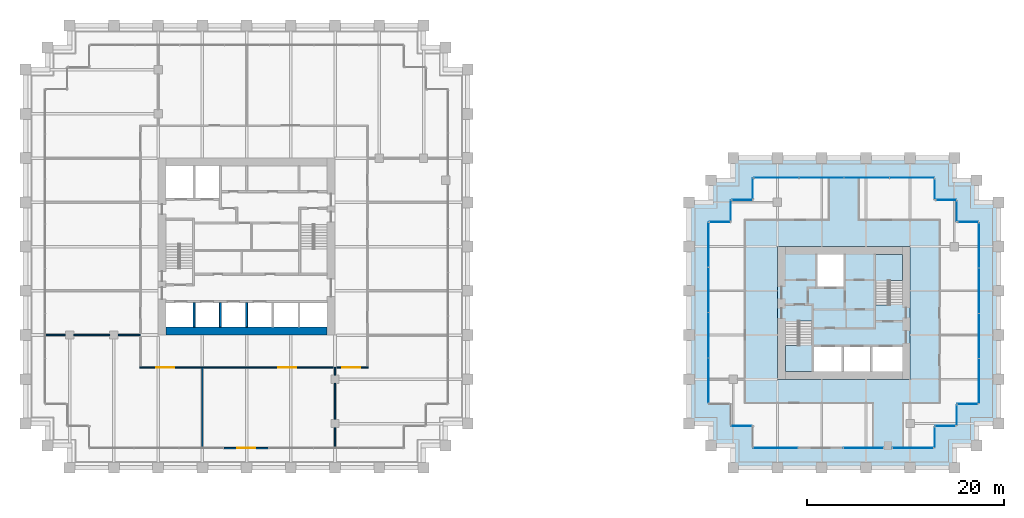
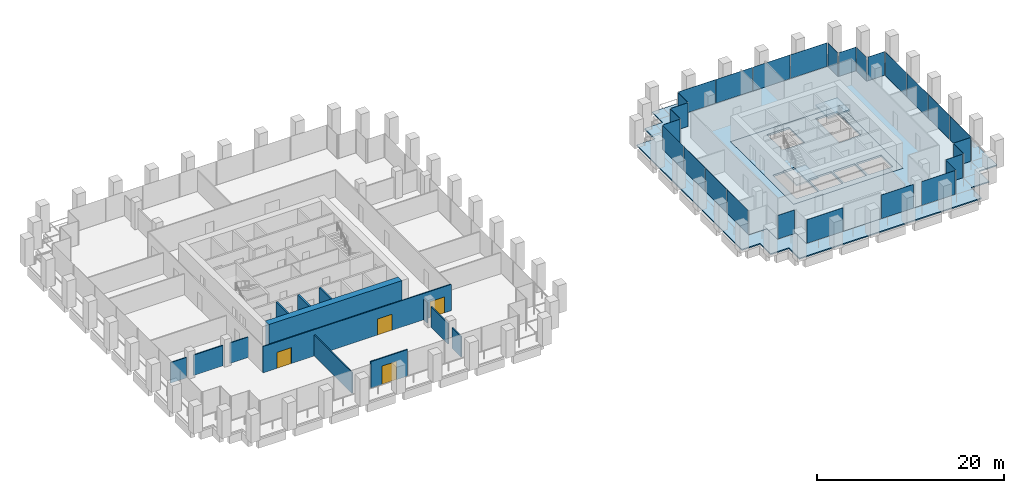
# One storey, part 49 of 56: 28 plates, 13 walls, 5 slabs, 4 doors, 4 openings, 21 elements without a shape of their own.
"""IFC4 building model written with IfcOpenShell, lengths in metres."""

from ifc_helpers import new_model, si_unit, direction, frame, frame_2d, origin, origin_2d, place, context, subcontext, project, spatial, polyline, rectangle, outline, extrude, material, layer, layer_set, type_object, element, fill, aggregate, save


model = new_model("IFC4")

# Units and contexts
model_context = context("Model", 3, precision=1e-05, world=origin(), true_north=direction((0.0, 1.0)))
body_context = subcontext(model_context, "Body", "Model", "MODEL_VIEW")
ifc_project = project(units=[si_unit("LENGTHUNIT", "METRE"), si_unit("AREAUNIT", "SQUARE_METRE"), si_unit("VOLUMEUNIT", "CUBIC_METRE"), si_unit("PLANEANGLEUNIT", "RADIAN"), si_unit("MASSUNIT", "GRAM", prefix="KILO")], contexts=[model_context])

# Site, building, storey
site_placement = place(None, origin())
site = spatial("IfcSite", under=ifc_project, at=site_placement, CompositionType="ELEMENT")
building_placement = place(site_placement, origin())
building = spatial("IfcBuilding", under=site, at=building_placement, Name="Altepetl Exchange Towers", CompositionType="ELEMENT")
storey_placement = place(building_placement, frame((0.0, 0.0, 79.800048828125)))
storey = spatial("IfcBuildingStorey", under=building, at=storey_placement, Name="L19", CompositionType="ELEMENT", Elevation=79.800048828125)

# Slabs
ifc_material_1 = material(Name="Concrete C40/50", Category="concrete")
ifc_layer_1 = layer(ifc_material_1, 0.14990234375)
ifc_layer_set_1 = layer_set([ifc_layer_1], Name="Concrete C40/50")
slab_type_1 = type_object("IfcSlabType", Name="Composite floor slab 150", PredefinedType="FLOOR", material=ifc_layer_set_1)
slab_1_placement = place(storey_placement, frame((0.0, 0.0, -0.150146484375)))
element("IfcSlab", 1, at=slab_1_placement, inside=storey, type_object=slab_type_1, Name="slab:B:L19:strip0", PredefinedType="FLOOR", context=body_context, shape_type="SweptSolid", body=[
    extrude(outline(polyline([(98.75, 54.25), (98.75, 52.0), (96.5, 52.0), (96.5, 33.5), (98.75, 33.5), (98.75, 31.25), (101.0, 31.25), (101.0, 29.0), (119.5, 29.0), (119.5, 31.25), (121.75, 31.25), (121.75, 33.5), (124.0, 33.5), (124.0, 52.0), (121.75, 52.0), (121.75, 54.25), (119.5, 54.25), (119.5, 56.5), (101.0, 56.5), (101.0, 54.25), (98.75, 54.25)]), holes=[polyline([(117.0, 49.5), (117.0, 36.0), (103.5, 36.0), (103.5, 49.5), (117.0, 49.5)])]), origin(), (0.0, 0.0, 1.0), 0.150146484375),
])
ifc_layer_2 = layer(ifc_material_1, 0.25)
ifc_layer_set_2 = layer_set([ifc_layer_2], Name="Concrete C40/50")
slab_type_2 = type_object("IfcSlabType", Name="Core floor slab 250", PredefinedType="FLOOR", material=ifc_layer_set_2)
slab_2_placement = place(storey_placement, frame((0.0, 0.0, -0.25)))
element("IfcSlab", 2, at=slab_2_placement, inside=storey, type_object=slab_type_2, Name="slab:B:L19:core0", PredefinedType="FLOOR", context=body_context, shape_type="SweptSolid", body=[
    extrude(outline(polyline([(103.5, 36.0), (117.0, 36.0), (117.0, 49.5), (103.5, 49.5), (103.5, 36.0)]), holes=[polyline([(107.199951171875, 36.800048828125), (107.199951171875, 39.300048828125), (110.032958984375, 39.300048828125), (110.032958984375, 36.800048828125), (107.199951171875, 36.800048828125)]), polyline([(110.23291015625, 39.300048828125), (112.967041015625, 39.300048828125), (112.967041015625, 36.800048828125), (110.23291015625, 36.800048828125), (110.23291015625, 39.300048828125)]), polyline([(113.1669921875, 39.300048828125), (116.199951171875, 39.300048828125), (116.199951171875, 36.800048828125), (113.1669921875, 36.800048828125), (113.1669921875, 39.300048828125)]), polyline([(107.0, 36.800048828125), (104.300048828125, 36.800048828125), (104.300048828125, 41.85009765625), (105.60009765625, 41.85009765625), (105.60009765625, 41.948974609375), (107.0, 41.948974609375), (107.0, 36.800048828125)]), polyline([(116.199951171875, 48.699951171875), (116.199951171875, 43.64990234375), (114.89990234375, 43.64990234375), (114.89990234375, 43.551025390625), (113.5, 43.551025390625), (113.5, 48.699951171875), (116.199951171875, 48.699951171875)]), polyline([(107.532958984375, 48.699951171875), (110.26708984375, 48.699951171875), (110.26708984375, 45.39990234375), (107.532958984375, 45.39990234375), (107.532958984375, 48.699951171875)])]), origin(), (0.0, 0.0, 1.0), 0.25),
])

# Curtain wall, plate
ifc_material_2 = material(Name="Aluminium 6063-T6 glazing", Category="aluminium")
curtain_wall_type = type_object("IfcCurtainWallType", Name="Loggia glazing system", PredefinedType="NOTDEFINED", material=ifc_material_2)
curtain_wall_1_placement = place(storey_placement, origin())
curtain_wall_1 = element("IfcCurtainWall", 3, at=curtain_wall_1_placement, inside=storey, type_object=curtain_wall_type, Name="CW1 run", PredefinedType="NOTDEFINED")
ifc_material_3 = material(Name="Glass 6-16-6 low emissivity", Category="glass")
ifc_layer_3 = layer(ifc_material_3, 0.028076171875)
ifc_layer_set_3 = layer_set([ifc_layer_3], Name="Glass 6-16-6 low emissivity")
plate_type = type_object("IfcPlateType", Name="Glass panel 28 double glazed", PredefinedType="CURTAIN_PANEL", material=ifc_layer_set_3)
plate_1_placement = place(storey_placement, frame((97.66259765625, 52.0, 0.0), z_axis=(0.0, 0.0, 1.0), x_axis=(-1.0, 0.0, 0.0)))
plate_1 = element("IfcPlate", 4, at=plate_1_placement, type_object=plate_type, Name="GP1 panel", PredefinedType="CURTAIN_PANEL", context=body_context, shape_type="SweptSolid", body=[
    extrude(rectangle(XDim=2.054931640625, YDim=0.028076171875, at=origin_2d()), origin(), (0.0, 0.0, 1.0), 3.10009765625),
])
aggregate(curtain_wall_1, [plate_1])

# Curtain wall, plates
curtain_wall_2_placement = place(storey_placement, origin())
curtain_wall_2 = element("IfcCurtainWall", 5, at=curtain_wall_2_placement, inside=storey, type_object=curtain_wall_type, Name="CW1 run", PredefinedType="NOTDEFINED")
plate_2_placement = place(storey_placement, frame((96.5, 49.681884765625, 0.0), z_axis=(0.0, 0.0, 1.0), x_axis=(0.0, -1.0, 0.0)))
plate_2 = element("IfcPlate", 6, at=plate_2_placement, type_object=plate_type, Name="GP1 panel", PredefinedType="CURTAIN_PANEL", context=body_context, shape_type="SweptSolid", body=[
    extrude(rectangle(XDim=4.516357421875, YDim=0.028076171875, at=origin_2d()), origin(), (0.0, 0.0, 1.0), 3.10009765625),
])
plate_3_placement = place(storey_placement, frame((96.5, 45.090576171875, 0.0), z_axis=(0.0, 0.0, 1.0), x_axis=(0.0, -1.0, 0.0)))
plate_3 = element("IfcPlate", 7, at=plate_3_placement, type_object=plate_type, Name="GP1 panel", PredefinedType="CURTAIN_PANEL", context=body_context, shape_type="SweptSolid", body=[
    extrude(rectangle(XDim=4.546142578125, YDim=0.028076171875, at=origin_2d()), origin(), (0.0, 0.0, 1.0), 3.10009765625),
])
plate_4_placement = place(storey_placement, frame((96.5, 40.484375, 0.0), z_axis=(0.0, 0.0, 1.0), x_axis=(0.0, -1.0, 0.0)))
plate_4 = element("IfcPlate", 8, at=plate_4_placement, type_object=plate_type, Name="GP1 panel", PredefinedType="CURTAIN_PANEL", context=body_context, shape_type="SweptSolid", body=[
    extrude(rectangle(XDim=4.546142578125, YDim=0.028076171875, at=origin_2d()), origin(), (0.0, 0.0, 1.0), 3.10009765625),
])
plate_5_placement = place(storey_placement, frame((96.5, 35.89306640625, 0.0), z_axis=(0.0, 0.0, 1.0), x_axis=(0.0, -1.0, 0.0)))
plate_5 = element("IfcPlate", 9, at=plate_5_placement, type_object=plate_type, Name="GP1 panel", PredefinedType="CURTAIN_PANEL", context=body_context, shape_type="SweptSolid", body=[
    extrude(rectangle(XDim=4.516357421875, YDim=0.028076171875, at=origin_2d()), origin(), (0.0, 0.0, 1.0), 3.10009765625),
])
aggregate(curtain_wall_2, [plate_2, plate_3, plate_4, plate_5])

# Curtain wall, plate
curtain_wall_3_placement = place(storey_placement, origin())
curtain_wall_3 = element("IfcCurtainWall", 10, at=curtain_wall_3_placement, inside=storey, type_object=curtain_wall_type, Name="CW1 run", PredefinedType="NOTDEFINED")
plate_6_placement = place(storey_placement, frame((99.83740234375, 31.25, 0.0)))
plate_6 = element("IfcPlate", 11, at=plate_6_placement, type_object=plate_type, Name="GP1 panel", PredefinedType="CURTAIN_PANEL", context=body_context, shape_type="SweptSolid", body=[
    extrude(rectangle(XDim=2.054931640625, YDim=0.028076171875, at=origin_2d()), origin(), (0.0, 0.0, 1.0), 3.10009765625),
])
aggregate(curtain_wall_3, [plate_6])

curtain_wall_4_placement = place(storey_placement, origin())
curtain_wall_4 = element("IfcCurtainWall", 12, at=curtain_wall_4_placement, inside=storey, type_object=curtain_wall_type, Name="CW1 run", PredefinedType="NOTDEFINED")
plate_7_placement = place(storey_placement, frame((103.30322265625, 29.0, 0.0)))
plate_7 = element("IfcPlate", 13, at=plate_7_placement, type_object=plate_type, Name="GP1 panel", PredefinedType="CURTAIN_PANEL", context=body_context, shape_type="SweptSolid", body=[
    extrude(rectangle(XDim=4.486328125, YDim=0.028076171875, at=origin_2d()), origin(), (0.0, 0.0, 1.0), 3.10009765625),
])
aggregate(curtain_wall_4, [plate_7])

curtain_wall_5_placement = place(storey_placement, origin())
curtain_wall_5 = element("IfcCurtainWall", 14, at=curtain_wall_5_placement, inside=storey, type_object=curtain_wall_type, Name="CW1 run", PredefinedType="NOTDEFINED")
plate_8_placement = place(storey_placement, frame((112.2587890625, 29.0, 0.0)))
plate_8 = element("IfcPlate", 15, at=plate_8_placement, type_object=plate_type, Name="GP1 panel", PredefinedType="CURTAIN_PANEL", context=body_context, shape_type="SweptSolid", body=[
    extrude(rectangle(XDim=3.972412109375, YDim=0.028076171875, at=origin_2d()), origin(), (0.0, 0.0, 1.0), 3.10009765625),
])
aggregate(curtain_wall_5, [plate_8])

curtain_wall_6_placement = place(storey_placement, origin())
curtain_wall_6 = element("IfcCurtainWall", 16, at=curtain_wall_6_placement, inside=storey, type_object=curtain_wall_type, Name="CW1 run", PredefinedType="NOTDEFINED")
plate_9_placement = place(storey_placement, frame((117.31005859375, 29.0, 0.0)))
plate_9 = element("IfcPlate", 17, at=plate_9_placement, type_object=plate_type, Name="GP1 panel", PredefinedType="CURTAIN_PANEL", context=body_context, shape_type="SweptSolid", body=[
    extrude(rectangle(XDim=4.110107421875, YDim=0.028076171875, at=origin_2d()), origin(), (0.0, 0.0, 1.0), 3.10009765625),
])
aggregate(curtain_wall_6, [plate_9])

curtain_wall_7_placement = place(storey_placement, origin())
curtain_wall_7 = element("IfcCurtainWall", 18, at=curtain_wall_7_placement, inside=storey, type_object=curtain_wall_type, Name="CW1 run", PredefinedType="NOTDEFINED")
plate_10_placement = place(storey_placement, frame((119.5, 30.08740234375, 0.0), z_axis=(0.0, 0.0, 1.0), x_axis=(0.0, 1.0, 0.0)))
plate_10 = element("IfcPlate", 19, at=plate_10_placement, type_object=plate_type, Name="GP1 panel", PredefinedType="CURTAIN_PANEL", context=body_context, shape_type="SweptSolid", body=[
    extrude(rectangle(XDim=2.054931640625, YDim=0.028076171875, at=origin_2d()), origin(), (0.0, 0.0, 1.0), 3.10009765625),
])
aggregate(curtain_wall_7, [plate_10])

curtain_wall_8_placement = place(storey_placement, origin())
curtain_wall_8 = element("IfcCurtainWall", 20, at=curtain_wall_8_placement, inside=storey, type_object=curtain_wall_type, Name="CW1 run", PredefinedType="NOTDEFINED")
plate_11_placement = place(storey_placement, frame((120.58740234375, 31.25, 0.0)))
plate_11 = element("IfcPlate", 21, at=plate_11_placement, type_object=plate_type, Name="GP1 panel", PredefinedType="CURTAIN_PANEL", context=body_context, shape_type="SweptSolid", body=[
    extrude(rectangle(XDim=2.054931640625, YDim=0.028076171875, at=origin_2d()), origin(), (0.0, 0.0, 1.0), 3.10009765625),
])
aggregate(curtain_wall_8, [plate_11])

curtain_wall_9_placement = place(storey_placement, origin())
curtain_wall_9 = element("IfcCurtainWall", 22, at=curtain_wall_9_placement, inside=storey, type_object=curtain_wall_type, Name="CW1 run", PredefinedType="NOTDEFINED")
plate_12_placement = place(storey_placement, frame((121.75, 32.33740234375, 0.0), z_axis=(0.0, 0.0, 1.0), x_axis=(0.0, 1.0, 0.0)))
plate_12 = element("IfcPlate", 23, at=plate_12_placement, type_object=plate_type, Name="GP1 panel", PredefinedType="CURTAIN_PANEL", context=body_context, shape_type="SweptSolid", body=[
    extrude(rectangle(XDim=2.054931640625, YDim=0.028076171875, at=origin_2d()), origin(), (0.0, 0.0, 1.0), 3.10009765625),
])
aggregate(curtain_wall_9, [plate_12])

curtain_wall_10_placement = place(storey_placement, origin())
curtain_wall_10 = element("IfcCurtainWall", 24, at=curtain_wall_10_placement, inside=storey, type_object=curtain_wall_type, Name="CW1 run", PredefinedType="NOTDEFINED")
plate_13_placement = place(storey_placement, frame((122.83740234375, 33.5, 0.0)))
plate_13 = element("IfcPlate", 25, at=plate_13_placement, type_object=plate_type, Name="GP1 panel", PredefinedType="CURTAIN_PANEL", context=body_context, shape_type="SweptSolid", body=[
    extrude(rectangle(XDim=2.054931640625, YDim=0.028076171875, at=origin_2d()), origin(), (0.0, 0.0, 1.0), 3.10009765625),
])
aggregate(curtain_wall_10, [plate_13])

# Curtain wall, plates
curtain_wall_11_placement = place(storey_placement, origin())
curtain_wall_11 = element("IfcCurtainWall", 26, at=curtain_wall_11_placement, inside=storey, type_object=curtain_wall_type, Name="CW1 run", PredefinedType="NOTDEFINED")
plate_14_placement = place(storey_placement, frame((124.0, 35.818115234375, 0.0), z_axis=(0.0, 0.0, 1.0), x_axis=(0.0, 1.0, 0.0)))
plate_14 = element("IfcPlate", 27, at=plate_14_placement, type_object=plate_type, Name="GP1 panel", PredefinedType="CURTAIN_PANEL", context=body_context, shape_type="SweptSolid", body=[
    extrude(rectangle(XDim=4.516357421875, YDim=0.028076171875, at=origin_2d()), origin(), (0.0, 0.0, 1.0), 3.10009765625),
])
plate_15_placement = place(storey_placement, frame((124.0, 40.409423828125, 0.0), z_axis=(0.0, 0.0, 1.0), x_axis=(0.0, 1.0, 0.0)))
plate_15 = element("IfcPlate", 28, at=plate_15_placement, type_object=plate_type, Name="GP1 panel", PredefinedType="CURTAIN_PANEL", context=body_context, shape_type="SweptSolid", body=[
    extrude(rectangle(XDim=4.546142578125, YDim=0.028076171875, at=origin_2d()), origin(), (0.0, 0.0, 1.0), 3.10009765625),
])
plate_16_placement = place(storey_placement, frame((124.0, 45.015625, 0.0), z_axis=(0.0, 0.0, 1.0), x_axis=(0.0, 1.0, 0.0)))
plate_16 = element("IfcPlate", 29, at=plate_16_placement, type_object=plate_type, Name="GP1 panel", PredefinedType="CURTAIN_PANEL", context=body_context, shape_type="SweptSolid", body=[
    extrude(rectangle(XDim=4.546142578125, YDim=0.028076171875, at=origin_2d()), origin(), (0.0, 0.0, 1.0), 3.10009765625),
])
plate_17_placement = place(storey_placement, frame((124.0, 49.60693359375, 0.0), z_axis=(0.0, 0.0, 1.0), x_axis=(0.0, 1.0, 0.0)))
plate_17 = element("IfcPlate", 30, at=plate_17_placement, type_object=plate_type, Name="GP1 panel", PredefinedType="CURTAIN_PANEL", context=body_context, shape_type="SweptSolid", body=[
    extrude(rectangle(XDim=4.516357421875, YDim=0.028076171875, at=origin_2d()), origin(), (0.0, 0.0, 1.0), 3.10009765625),
])
aggregate(curtain_wall_11, [plate_14, plate_15, plate_16, plate_17])

# Curtain wall, plate
curtain_wall_12_placement = place(storey_placement, origin())
curtain_wall_12 = element("IfcCurtainWall", 31, at=curtain_wall_12_placement, inside=storey, type_object=curtain_wall_type, Name="CW1 run", PredefinedType="NOTDEFINED")
plate_18_placement = place(storey_placement, frame((122.91259765625, 52.0, 0.0), z_axis=(0.0, 0.0, 1.0), x_axis=(-1.0, 0.0, 0.0)))
plate_18 = element("IfcPlate", 32, at=plate_18_placement, type_object=plate_type, Name="GP1 panel", PredefinedType="CURTAIN_PANEL", context=body_context, shape_type="SweptSolid", body=[
    extrude(rectangle(XDim=2.054931640625, YDim=0.028076171875, at=origin_2d()), origin(), (0.0, 0.0, 1.0), 3.10009765625),
])
aggregate(curtain_wall_12, [plate_18])

curtain_wall_13_placement = place(storey_placement, origin())
curtain_wall_13 = element("IfcCurtainWall", 33, at=curtain_wall_13_placement, inside=storey, type_object=curtain_wall_type, Name="CW1 run", PredefinedType="NOTDEFINED")
plate_19_placement = place(storey_placement, frame((121.75, 53.08740234375, 0.0), z_axis=(0.0, 0.0, 1.0), x_axis=(0.0, 1.0, 0.0)))
plate_19 = element("IfcPlate", 34, at=plate_19_placement, type_object=plate_type, Name="GP1 panel", PredefinedType="CURTAIN_PANEL", context=body_context, shape_type="SweptSolid", body=[
    extrude(rectangle(XDim=2.054931640625, YDim=0.028076171875, at=origin_2d()), origin(), (0.0, 0.0, 1.0), 3.10009765625),
])
aggregate(curtain_wall_13, [plate_19])

curtain_wall_14_placement = place(storey_placement, origin())
curtain_wall_14 = element("IfcCurtainWall", 35, at=curtain_wall_14_placement, inside=storey, type_object=curtain_wall_type, Name="CW1 run", PredefinedType="NOTDEFINED")
plate_20_placement = place(storey_placement, frame((120.66259765625, 54.25, 0.0), z_axis=(0.0, 0.0, 1.0), x_axis=(-1.0, 0.0, 0.0)))
plate_20 = element("IfcPlate", 36, at=plate_20_placement, type_object=plate_type, Name="GP1 panel", PredefinedType="CURTAIN_PANEL", context=body_context, shape_type="SweptSolid", body=[
    extrude(rectangle(XDim=2.054931640625, YDim=0.028076171875, at=origin_2d()), origin(), (0.0, 0.0, 1.0), 3.10009765625),
])
aggregate(curtain_wall_14, [plate_20])

curtain_wall_15_placement = place(storey_placement, origin())
curtain_wall_15 = element("IfcCurtainWall", 37, at=curtain_wall_15_placement, inside=storey, type_object=curtain_wall_type, Name="CW1 run", PredefinedType="NOTDEFINED")
plate_21_placement = place(storey_placement, frame((119.5, 55.33740234375, 0.0), z_axis=(0.0, 0.0, 1.0), x_axis=(0.0, 1.0, 0.0)))
plate_21 = element("IfcPlate", 38, at=plate_21_placement, type_object=plate_type, Name="GP1 panel", PredefinedType="CURTAIN_PANEL", context=body_context, shape_type="SweptSolid", body=[
    extrude(rectangle(XDim=2.054931640625, YDim=0.028076171875, at=origin_2d()), origin(), (0.0, 0.0, 1.0), 3.10009765625),
])
aggregate(curtain_wall_15, [plate_21])

# Curtain wall, plates
curtain_wall_16_placement = place(storey_placement, origin())
curtain_wall_16 = element("IfcCurtainWall", 39, at=curtain_wall_16_placement, inside=storey, type_object=curtain_wall_type, Name="CW1 run", PredefinedType="NOTDEFINED")
plate_22_placement = place(storey_placement, frame((117.181884765625, 56.5, 0.0), z_axis=(0.0, 0.0, 1.0), x_axis=(-1.0, 0.0, 0.0)))
plate_22 = element("IfcPlate", 40, at=plate_22_placement, type_object=plate_type, Name="GP1 panel", PredefinedType="CURTAIN_PANEL", context=body_context, shape_type="SweptSolid", body=[
    extrude(rectangle(XDim=4.516357421875, YDim=0.028076171875, at=origin_2d()), origin(), (0.0, 0.0, 1.0), 3.10009765625),
])
plate_23_placement = place(storey_placement, frame((112.590576171875, 56.5, 0.0), z_axis=(0.0, 0.0, 1.0), x_axis=(-1.0, 0.0, 0.0)))
plate_23 = element("IfcPlate", 41, at=plate_23_placement, type_object=plate_type, Name="GP1 panel", PredefinedType="CURTAIN_PANEL", context=body_context, shape_type="SweptSolid", body=[
    extrude(rectangle(XDim=4.546142578125, YDim=0.028076171875, at=origin_2d()), origin(), (0.0, 0.0, 1.0), 3.10009765625),
])
plate_24_placement = place(storey_placement, frame((107.984375, 56.5, 0.0), z_axis=(0.0, 0.0, 1.0), x_axis=(-1.0, 0.0, 0.0)))
plate_24 = element("IfcPlate", 42, at=plate_24_placement, type_object=plate_type, Name="GP1 panel", PredefinedType="CURTAIN_PANEL", context=body_context, shape_type="SweptSolid", body=[
    extrude(rectangle(XDim=4.546142578125, YDim=0.028076171875, at=origin_2d()), origin(), (0.0, 0.0, 1.0), 3.10009765625),
])
plate_25_placement = place(storey_placement, frame((103.39306640625, 56.5, 0.0), z_axis=(0.0, 0.0, 1.0), x_axis=(-1.0, 0.0, 0.0)))
plate_25 = element("IfcPlate", 43, at=plate_25_placement, type_object=plate_type, Name="GP1 panel", PredefinedType="CURTAIN_PANEL", context=body_context, shape_type="SweptSolid", body=[
    extrude(rectangle(XDim=4.516357421875, YDim=0.028076171875, at=origin_2d()), origin(), (0.0, 0.0, 1.0), 3.10009765625),
])
aggregate(curtain_wall_16, [plate_22, plate_23, plate_24, plate_25])

# Curtain wall, plate
curtain_wall_17_placement = place(storey_placement, origin())
curtain_wall_17 = element("IfcCurtainWall", 44, at=curtain_wall_17_placement, inside=storey, type_object=curtain_wall_type, Name="CW1 run", PredefinedType="NOTDEFINED")
plate_26_placement = place(storey_placement, frame((101.0, 55.41259765625, 0.0), z_axis=(0.0, 0.0, 1.0), x_axis=(0.0, -1.0, 0.0)))
plate_26 = element("IfcPlate", 45, at=plate_26_placement, type_object=plate_type, Name="GP1 panel", PredefinedType="CURTAIN_PANEL", context=body_context, shape_type="SweptSolid", body=[
    extrude(rectangle(XDim=2.054931640625, YDim=0.028076171875, at=origin_2d()), origin(), (0.0, 0.0, 1.0), 3.10009765625),
])
aggregate(curtain_wall_17, [plate_26])

curtain_wall_18_placement = place(storey_placement, origin())
curtain_wall_18 = element("IfcCurtainWall", 46, at=curtain_wall_18_placement, inside=storey, type_object=curtain_wall_type, Name="CW1 run", PredefinedType="NOTDEFINED")
plate_27_placement = place(storey_placement, frame((99.91259765625, 54.25, 0.0), z_axis=(0.0, 0.0, 1.0), x_axis=(-1.0, 0.0, 0.0)))
plate_27 = element("IfcPlate", 47, at=plate_27_placement, type_object=plate_type, Name="GP1 panel", PredefinedType="CURTAIN_PANEL", context=body_context, shape_type="SweptSolid", body=[
    extrude(rectangle(XDim=2.054931640625, YDim=0.028076171875, at=origin_2d()), origin(), (0.0, 0.0, 1.0), 3.10009765625),
])
aggregate(curtain_wall_18, [plate_27])

curtain_wall_19_placement = place(storey_placement, origin())
curtain_wall_19 = element("IfcCurtainWall", 48, at=curtain_wall_19_placement, inside=storey, type_object=curtain_wall_type, Name="CW1 run", PredefinedType="NOTDEFINED")
plate_28_placement = place(storey_placement, frame((98.75, 53.16259765625, 0.0), z_axis=(0.0, 0.0, 1.0), x_axis=(0.0, -1.0, 0.0)))
plate_28 = element("IfcPlate", 49, at=plate_28_placement, type_object=plate_type, Name="GP1 panel", PredefinedType="CURTAIN_PANEL", context=body_context, shape_type="SweptSolid", body=[
    extrude(rectangle(XDim=2.054931640625, YDim=0.028076171875, at=origin_2d()), origin(), (0.0, 0.0, 1.0), 3.10009765625),
])
aggregate(curtain_wall_19, [plate_28])

# Slab
ifc_layer_4 = layer(ifc_material_1, 0.14990234375)
ifc_layer_set_4 = layer_set([ifc_layer_4], Name="Concrete C40/50")
slab_type_3 = type_object("IfcSlabType", Name="Loggia slab 150", PredefinedType="FLOOR", material=ifc_layer_set_4)
slab_3_placement = place(storey_placement, frame((0.0, 0.0, -0.150146484375)))
element("IfcSlab", 50, at=slab_3_placement, inside=storey, type_object=slab_type_3, Name="slab:B:L19:loggia0", PredefinedType="FLOOR", context=body_context, shape_type="SweptSolid", body=[
    extrude(outline(polyline([(96.75, 54.0), (94.5, 54.0), (94.5, 36.0), (94.5, 31.5), (96.75, 31.5), (96.75, 29.25), (99.0, 29.25), (99.0, 27.0), (117.0, 27.0), (121.5, 27.0), (121.5, 29.25), (123.75, 29.25), (123.75, 31.5), (126.0, 31.5), (126.0, 49.5), (126.0, 54.0), (123.75, 54.0), (123.75, 56.25), (121.5, 56.25), (121.5, 58.5), (103.5, 58.5), (99.0, 58.5), (99.0, 56.25), (96.75, 56.25), (96.75, 54.0)]), holes=[polyline([(96.5, 52.0), (98.75, 52.0), (98.75, 54.25), (101.0, 54.25), (101.0, 56.5), (119.5, 56.5), (119.5, 54.25), (121.75, 54.25), (121.75, 52.0), (124.0, 52.0), (124.0, 33.5), (121.75, 33.5), (121.75, 31.25), (119.5, 31.25), (119.5, 29.0), (101.0, 29.0), (101.0, 31.25), (98.75, 31.25), (98.75, 33.5), (96.5, 33.5), (96.5, 52.0)])]), origin(), (0.0, 0.0, 1.0), 0.150146484375),
])

# Stair, slab
stair_type = type_object("IfcStairType", Name="Exit stair 1300 flights dogleg", PredefinedType="HALF_TURN_STAIR", material=ifc_material_1)
stair_1_placement = place(storey_placement, origin())
stair_1 = element("IfcStair", 51, at=stair_1_placement, inside=storey, type_object=stair_type, Name="Exit stair 1", PredefinedType="HALF_TURN_STAIR")
ifc_layer_5 = layer(ifc_material_1, 0.199951171875)
ifc_layer_set_5 = layer_set([ifc_layer_5], Name="Concrete C40/50")
slab_type_4 = type_object("IfcSlabType", Name="Stair landing 200 reinforced concrete", PredefinedType="LANDING", material=ifc_layer_set_5)
slab_4_placement = place(storey_placement, frame((0.0, 0.0, 1.599853515625)))
slab_4 = element("IfcSlab", 52, at=slab_4_placement, type_object=slab_type_4, Name="ST-B1c landing 1", PredefinedType="LANDING", context=body_context, shape_type="SweptSolid", body=[
    extrude(outline(polyline([(107.0, 36.800048828125), (104.300048828125, 36.800048828125), (104.300048828125, 39.429931640625), (104.300048828125, 39.4306640625), (105.60009765625, 39.4306640625), (105.60009765625, 39.429931640625), (105.699951171875, 39.429931640625), (105.699951171875, 39.530029296875), (107.0, 39.530029296875), (107.0, 39.429931640625), (107.0, 36.800048828125)])), origin(), (0.0, 0.0, 1.0), 0.2001953125),
])
aggregate(stair_1, [slab_4])

stair_2_placement = place(storey_placement, origin())
stair_2 = element("IfcStair", 53, at=stair_2_placement, inside=storey, type_object=stair_type, Name="Exit stair 2", PredefinedType="HALF_TURN_STAIR")
slab_5_placement = place(storey_placement, frame((0.0, 0.0, 1.599853515625)))
slab_5 = element("IfcSlab", 54, at=slab_5_placement, type_object=slab_type_4, Name="ST-B2c landing 1", PredefinedType="LANDING", context=body_context, shape_type="SweptSolid", body=[
    extrude(outline(polyline([(114.800048828125, 45.969970703125), (113.5, 45.969970703125), (113.5, 46.070068359375), (113.5, 48.699951171875), (116.199951171875, 48.699951171875), (116.199951171875, 46.070068359375), (116.199951171875, 46.0693359375), (114.89990234375, 46.0693359375), (114.89990234375, 46.070068359375), (114.800048828125, 46.070068359375), (114.800048828125, 45.969970703125)])), origin(), (0.0, 0.0, 1.0), 0.2001953125),
])
aggregate(stair_2, [slab_5])

# Wall
ifc_material_4 = material(Name="Concrete C70/85", Category="concrete")
ifc_layer_6 = layer(ifc_material_4, 0.800048828125)
ifc_layer_set_6 = layer_set([ifc_layer_6], Name="Concrete C70/85")
wall_type_1 = type_object("IfcWallType", Name="Core wall 800 reinforced concrete", PredefinedType="SHEAR", material=ifc_layer_set_6)
wall_1_placement = place(storey_placement, frame((41.300048828125, 40.89990234375, 0.0)))
element("IfcWall", 55, at=wall_1_placement, inside=storey, type_object=wall_type_1, Name="wall:A:L19:K-coreS", PredefinedType="SHEAR", context=body_context, shape_type="SweptSolid", body=[
    extrude(rectangle(XDim=16.39990234375, YDim=0.800048828125, at=frame_2d((8.199951171875, 0.0))), origin(), (0.0, 0.0, 1.0), 3.349853515625),
])

# Wall, opening, door
ifc_material_5 = material(Name="Aluminium composite cladding", Category="aluminium")
ifc_layer_7 = layer(ifc_material_5, 0.14990234375)
ifc_layer_set_7 = layer_set([ifc_layer_7], Name="Aluminium composite cladding")
wall_type_2 = type_object("IfcWallType", Name="Infill wall 150 aluminium panel", PredefinedType="SOLIDWALL", material=ifc_layer_set_7)
wall_2_placement = place(storey_placement, frame((47.18212890625, 29.0, 0.0)))
wall_2 = element("IfcWall", 56, at=wall_2_placement, inside=storey, type_object=wall_type_2, Name="Loggia door bay wall", PredefinedType="SOLIDWALL", context=body_context, shape_type="SweptSolid", body=[
    extrude(rectangle(XDim=4.560791015625, YDim=0.14990234375, at=frame_2d((2.2802734375, 0.0))), origin(), (0.0, 0.0, 1.0), 3.449951171875),
])
opening_1_placement = place(wall_2_placement, frame((1.38037109375, 0.0, 0.0)))
opening_1 = element("IfcOpeningElement", 57, at=opening_1_placement, cuts=wall_2, Name="Opening L19.A90", PredefinedType="OPENING", context=body_context, shape_type="SweptSolid", body=[
    extrude(rectangle(XDim=1.800048828125, YDim=2.39990234375, at=frame_2d((0.89990234375, 1.199951171875))), frame((0.0, 0.0849609375, 0.0), z_axis=(0.0, -1.0, 0.0), x_axis=(1.0, 0.0, 0.0)), (0.0, 0.0, 1.0), 0.169921875),
])
ifc_material_6 = material(Name="Aluminium 6063-T6 and glass", Category="aluminium")
door_type_1 = type_object("IfcDoorType", Name="Glazed door pair 1800x2400", OperationType="DOUBLE_DOOR_DOUBLE_SWING", PredefinedType="NOTDEFINED", material=ifc_material_6)
door_1_placement = place(opening_1_placement, frame((1.800048828125, 0.0, 0.0), x_axis=(-1.0, 0.0, 0.0)))
door_1 = element("IfcDoor", 58, at=door_1_placement, inside=storey, type_object=door_type_1, Name="Loggia door", OperationType="DOUBLE_DOOR_DOUBLE_SWING", OverallHeight=2.39990234375, OverallWidth=1.800048828125, PredefinedType="NOTDEFINED", context=body_context, shape_type="SweptSolid", body=[
    extrude(rectangle(XDim=1.800048828125, YDim=2.39990234375, at=frame_2d((0.89990234375, 1.199951171875))), frame((0.0, 0.02490234375, 0.0), z_axis=(0.0, -1.0, 0.0), x_axis=(1.0, 0.0, 0.0)), (0.0, 0.0, 1.0), 0.050048828125),
])
fill(opening_1, door_1)

# Wall, openings, doors
ifc_material_7 = material(Name="Gypsum board on steel studs", Category="steel")
ifc_layer_8 = layer(ifc_material_7, 0.125)
ifc_layer_set_8 = layer_set([ifc_layer_8], Name="Gypsum board on steel studs")
wall_type_3 = type_object("IfcWallType", Name="Partition 125 gypsum board on steel studs", PredefinedType="PARTITIONING", material=ifc_layer_set_8)
wall_3_placement = place(storey_placement, frame((38.637451171875, 37.199951171875, 0.0)))
wall_3 = element("IfcWall", 59, at=wall_3_placement, inside=storey, type_object=wall_type_3, Name="wall:A:L19:P01", PredefinedType="PARTITIONING", context=body_context, shape_type="SweptSolid", body=[
    extrude(rectangle(XDim=23.22509765625, YDim=0.125, at=frame_2d((11.612548828125, 0.0))), origin(), (0.0, 0.0, 1.0), 3.449951171875),
])
opening_2_placement = place(wall_3_placement, frame((1.6826171875, 0.0, 0.0)))
opening_2 = element("IfcOpeningElement", 60, at=opening_2_placement, cuts=wall_3, Name="Opening L19.A02", PredefinedType="OPENING", context=body_context, shape_type="SweptSolid", body=[
    extrude(rectangle(XDim=1.800048828125, YDim=2.10009765625, at=frame_2d((0.89990234375, 1.050048828125))), frame((0.0, 0.072509765625, 0.0), z_axis=(0.0, -1.0, 0.0), x_axis=(1.0, 0.0, 0.0)), (0.0, 0.0, 1.0), 0.14501953125),
])
opening_3_placement = place(wall_3_placement, frame((14.1025390625, 0.0, 0.0)))
opening_3 = element("IfcOpeningElement", 61, at=opening_3_placement, cuts=wall_3, Name="Opening L19.A03", PredefinedType="OPENING", context=body_context, shape_type="SweptSolid", body=[
    extrude(rectangle(XDim=1.800048828125, YDim=2.10009765625, at=frame_2d((0.89990234375, 1.050048828125))), frame((0.0, 0.072509765625, 0.0), z_axis=(0.0, -1.0, 0.0), x_axis=(1.0, 0.0, 0.0)), (0.0, 0.0, 1.0), 0.14501953125),
])
opening_4_placement = place(wall_3_placement, frame((20.612548828125, 0.0, 0.0)))
opening_4 = element("IfcOpeningElement", 62, at=opening_4_placement, cuts=wall_3, Name="Opening L19.A04", PredefinedType="OPENING", context=body_context, shape_type="SweptSolid", body=[
    extrude(rectangle(XDim=1.800048828125, YDim=2.10009765625, at=frame_2d((0.89990234375, 1.050048828125))), frame((0.0, 0.072509765625, 0.0), z_axis=(0.0, -1.0, 0.0), x_axis=(1.0, 0.0, 0.0)), (0.0, 0.0, 1.0), 0.14501953125),
])
ifc_material_8 = material(Name="Steel and timber fire door", Category="steel")
door_type_2 = type_object("IfcDoorType", Name="Fire door 1800 x 2100 double leaf", OperationType="DOUBLE_DOOR_SINGLE_SWING", PredefinedType="DOOR", material=ifc_material_8)
door_2_placement = place(opening_2_placement, frame((1.800048828125, 0.0, 0.0), x_axis=(-1.0, 0.0, 0.0)))
door_2 = element("IfcDoor", 63, at=door_2_placement, inside=storey, type_object=door_type_2, Name="door:A:L19:02", OperationType="DOUBLE_DOOR_SINGLE_SWING", OverallHeight=2.10009765625, OverallWidth=1.800048828125, PredefinedType="DOOR", context=body_context, shape_type="SweptSolid", body=[
    extrude(rectangle(XDim=1.800048828125, YDim=2.10009765625, at=frame_2d((0.89990234375, 1.050048828125))), frame((0.0, 0.02490234375, 0.0), z_axis=(0.0, -1.0, 0.0), x_axis=(1.0, 0.0, 0.0)), (0.0, 0.0, 1.0), 0.050048828125),
])
fill(opening_2, door_2)
door_3_placement = place(opening_3_placement, frame((1.800048828125, 0.0, 0.0), x_axis=(-1.0, 0.0, 0.0)))
door_3 = element("IfcDoor", 64, at=door_3_placement, inside=storey, type_object=door_type_2, Name="door:A:L19:03", OperationType="DOUBLE_DOOR_SINGLE_SWING", OverallHeight=2.10009765625, OverallWidth=1.800048828125, PredefinedType="DOOR", context=body_context, shape_type="SweptSolid", body=[
    extrude(rectangle(XDim=1.800048828125, YDim=2.10009765625, at=frame_2d((0.89990234375, 1.050048828125))), frame((0.0, 0.02490234375, 0.0), z_axis=(0.0, -1.0, 0.0), x_axis=(1.0, 0.0, 0.0)), (0.0, 0.0, 1.0), 0.050048828125),
])
fill(opening_3, door_3)
door_4_placement = place(opening_4_placement, frame((1.800048828125, 0.0, 0.0), x_axis=(-1.0, 0.0, 0.0)))
door_4 = element("IfcDoor", 65, at=door_4_placement, inside=storey, type_object=door_type_2, Name="door:A:L19:04", OperationType="DOUBLE_DOOR_SINGLE_SWING", OverallHeight=2.10009765625, OverallWidth=1.800048828125, PredefinedType="DOOR", context=body_context, shape_type="SweptSolid", body=[
    extrude(rectangle(XDim=1.800048828125, YDim=2.10009765625, at=frame_2d((0.89990234375, 1.050048828125))), frame((0.0, 0.02490234375, 0.0), z_axis=(0.0, -1.0, 0.0), x_axis=(1.0, 0.0, 0.0)), (0.0, 0.0, 1.0), 0.050048828125),
])
fill(opening_4, door_4)

# Walls
wall_4_placement = place(storey_placement, frame((29.10009765625, 40.5, 0.0)))
element("IfcWall", 66, at=wall_4_placement, inside=storey, type_object=wall_type_3, Name="wall:A:L19:P02", PredefinedType="PARTITIONING", context=body_context, shape_type="SweptSolid", body=[
    extrude(rectangle(XDim=1.974853515625, YDim=0.125, at=frame_2d((0.9873046875, 0.0))), origin(), (0.0, 0.0, 1.0), 2.676025390625),
])
wall_5_placement = place(storey_placement, frame((31.925048828125, 40.5, 0.0)))
element("IfcWall", 67, at=wall_5_placement, inside=storey, type_object=wall_type_3, Name="wall:A:L19:P03", PredefinedType="PARTITIONING", context=body_context, shape_type="SweptSolid", body=[
    extrude(rectangle(XDim=3.64990234375, YDim=0.125, at=frame_2d((1.824951171875, 0.0))), origin(), (0.0, 0.0, 1.0), 2.676025390625),
])
wall_6_placement = place(storey_placement, frame((36.425048828125, 40.5, 0.0)))
element("IfcWall", 68, at=wall_6_placement, inside=storey, type_object=wall_type_3, Name="wall:A:L19:P04", PredefinedType="PARTITIONING", context=body_context, shape_type="SweptSolid", body=[
    extrude(rectangle(XDim=2.27490234375, YDim=0.125, at=frame_2d((1.137451171875, 0.0))), origin(), (0.0, 0.0, 1.0), 2.676025390625),
])
wall_7_placement = place(storey_placement, frame((45.0, 29.10009765625, 0.0), z_axis=(0.0, 0.0, 1.0), x_axis=(0.0, 1.0, 0.0)))
element("IfcWall", 69, at=wall_7_placement, inside=storey, type_object=wall_type_3, Name="wall:A:L19:P19", PredefinedType="PARTITIONING", context=body_context, shape_type="SweptSolid", body=[
    extrude(rectangle(XDim=8.099853515625, YDim=0.125, at=frame_2d((4.0498046875, 0.0))), origin(), (0.0, 0.0, 1.0), 2.765869140625),
])
wall_8_placement = place(storey_placement, frame((58.5, 29.10009765625, 0.0), z_axis=(0.0, 0.0, 1.0), x_axis=(0.0, 1.0, 0.0)))
element("IfcWall", 70, at=wall_8_placement, inside=storey, type_object=wall_type_3, Name="wall:A:L19:P21", PredefinedType="PARTITIONING", context=body_context, shape_type="SweptSolid", body=[
    extrude(rectangle(XDim=1.974853515625, YDim=0.125, at=frame_2d((0.9873046875, 0.0))), origin(), (0.0, 0.0, 1.0), 2.676025390625),
])
wall_9_placement = place(storey_placement, frame((58.5, 31.925048828125, 0.0), z_axis=(0.0, 0.0, 1.0), x_axis=(0.0, 1.0, 0.0)))
element("IfcWall", 71, at=wall_9_placement, inside=storey, type_object=wall_type_3, Name="wall:A:L19:P22", PredefinedType="PARTITIONING", context=body_context, shape_type="SweptSolid", body=[
    extrude(rectangle(XDim=3.64990234375, YDim=0.125, at=frame_2d((1.824951171875, 0.0))), origin(), (0.0, 0.0, 1.0), 2.676025390625),
])
wall_10_placement = place(storey_placement, frame((58.5, 36.425048828125, 0.0), z_axis=(0.0, 0.0, 1.0), x_axis=(0.0, 1.0, 0.0)))
element("IfcWall", 72, at=wall_10_placement, inside=storey, type_object=wall_type_3, Name="wall:A:L19:P23", PredefinedType="PARTITIONING", context=body_context, shape_type="SweptSolid", body=[
    extrude(rectangle(XDim=0.77490234375, YDim=0.125, at=frame_2d((0.387451171875, 0.0))), origin(), (0.0, 0.0, 1.0), 2.676025390625),
])
ifc_layer_9 = layer(ifc_material_1, 0.199951171875)
ifc_layer_set_9 = layer_set([ifc_layer_9], Name="Concrete C40/50")
wall_type_4 = type_object("IfcWallType", Name="Shaft wall 200 reinforced concrete", PredefinedType="SHEAR", material=ifc_layer_set_9)
for number, where, z_axis, x_axis, name in (
    (73, (44.166748046875, 41.300048828125, 0.0), (0.0, 0.0, 1.0), (0.0, 1.0, 0.0), "wall:A:L19:K-divS1"),
    (74, (46.833251953125, 41.300048828125, 0.0), (0.0, 0.0, 1.0), (0.0, 1.0, 0.0), "wall:A:L19:K-divS2"),
    (75, (49.5, 41.300048828125, 0.0), (0.0, 0.0, 1.0), (0.0, 1.0, 0.0), "wall:A:L19:K-divS3"),
):
    element("IfcWall", number, at=place(storey_placement, frame(where, z_axis=z_axis, x_axis=x_axis)), inside=storey, type_object=wall_type_4, Name=name, PredefinedType="SHEAR", context=body_context, shape_type="SweptSolid", body=[
        extrude(rectangle(XDim=2.5, YDim=0.199951171875, at=frame_2d((1.25, 0.0))), origin(), (0.0, 0.0, 1.0), 3.349853515625),
    ])

save(model, "model.ifc")
